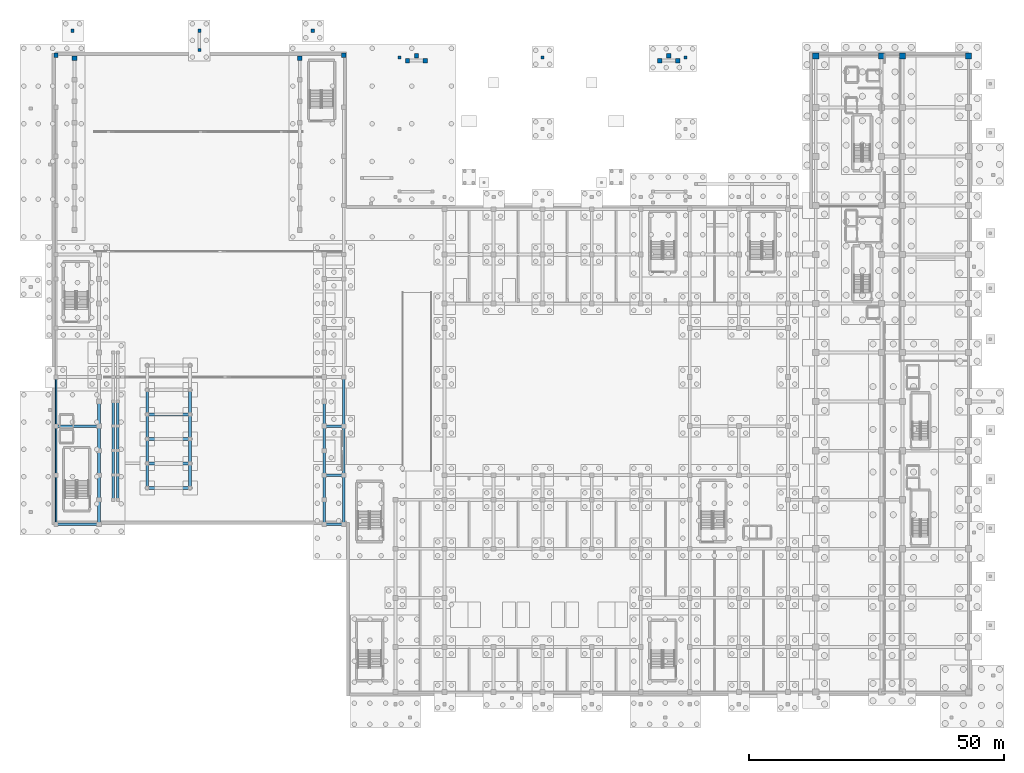
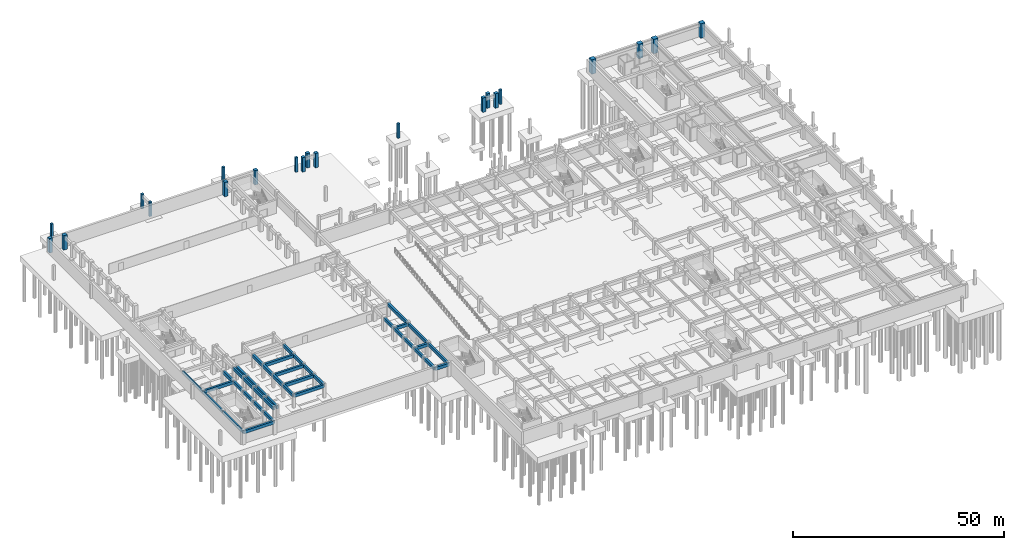
# One storey, part 10 of 39: 41 beams, 21 columns.
"""IFC4 building model written with IfcOpenShell, lengths in metres."""

import ifcopenshell
import ifcopenshell.guid

model = None  # the IFC model being written
_history = None  # IfcOwnerHistory: only IFC2X3 demands one
_inside = {}  # id of a spatial element -> (the spatial element, [elements in it])
_under = {}  # id of a project, library or spatial element -> (it, [spatial elements below it])
_declared = {}  # id of a project -> (the project, [libraries it declares])
_typed = {}  # id of a type object -> (the type object, [elements of that type])
_made_of = {}  # id of a material, layer set ... -> (it, [elements and type objects made of it])


def new_model(schema):
    """Start an empty IFC model of exactly this schema.

    Asked for "IFC4X3", IfcOpenShell would pick the latest addendum, in which some entities
    have other attributes; the version numbers below select the first issue.
    IFC2X3 requires an IfcOwnerHistory on every rooted entity: one is made here for all.
    """
    global model, _history
    if schema == "IFC4X3":
        model = ifcopenshell.file(schema_version=(4, 3, 0, 0))
    else:
        model = ifcopenshell.file(schema=schema)
    _inside.clear()
    _under.clear()
    _declared.clear()
    _typed.clear()
    _made_of.clear()
    _history = None
    if model.schema == "IFC2X3":
        org = make("IfcOrganization", Name="unknown")
        user = make(
            "IfcPersonAndOrganization",
            ThePerson=make("IfcPerson", FamilyName="unknown"),
            TheOrganization=org,
        )
        app = make(
            "IfcApplication",
            ApplicationDeveloper=org,
            Version="unknown",
            ApplicationFullName="unknown",
            ApplicationIdentifier="unknown",
        )
        _history = make(
            "IfcOwnerHistory",
            OwningUser=user,
            OwningApplication=app,
            ChangeAction="ADDED",
            CreationDate=0,
        )
    return model


def make(cls, **values):
    """One entity of the class cls with the attributes given. An attribute that is None is left unset."""
    return model.create_entity(
        cls, **{name: value for name, value in values.items() if value is not None}
    )


def rooted(cls, **values):
    """An entity with a GlobalId (a new one), such as an element, a storey or a relation."""
    return make(cls, GlobalId=ifcopenshell.guid.new(), OwnerHistory=_history, **values)


def si_unit(unit_type, name, prefix=None):
    """IfcSIUnit, for example si_unit("LENGTHUNIT", "METRE", prefix="MILLI")."""
    return make("IfcSIUnit", UnitType=unit_type, Prefix=prefix, Name=name)


def assignment(units):
    """IfcUnitAssignment: the units of a project."""
    return None if units is None else make("IfcUnitAssignment", Units=units)


def point(xyz):
    """IfcCartesianPoint."""
    return None if xyz is None else make("IfcCartesianPoint", Coordinates=xyz)


def direction(xyz):
    """IfcDirection."""
    return None if xyz is None else make("IfcDirection", DirectionRatios=xyz)


def frame(location, z_axis=None, x_axis=None):
    """IfcAxis2Placement3D, a coordinate frame: its origin and axes. An axis left out is left unset."""
    return make(
        "IfcAxis2Placement3D",
        Location=point(location),
        Axis=direction(z_axis),
        RefDirection=direction(x_axis),
    )


def frame_2d(location, x_axis=None):
    """IfcAxis2Placement2D, a coordinate frame in the plane: its origin and x axis."""
    return make(
        "IfcAxis2Placement2D", Location=point(location), RefDirection=direction(x_axis)
    )


def origin():
    """The frame at (0, 0, 0) with its axes left unset."""
    return frame((0.0, 0.0, 0.0))


def origin_2d():
    """The frame at (0, 0) in the plane with its x axis left unset."""
    return frame_2d((0.0, 0.0))


def place(relative_to, where):
    """IfcLocalPlacement: puts the frame where relative to a parent placement (None: the world)."""
    return make(
        "IfcLocalPlacement", PlacementRelTo=relative_to, RelativePlacement=where
    )


def context(
    kind, dimensions, precision=None, world=None, true_north=None, identifier=None
):
    """IfcGeometricRepresentationContext, for example the 3D "Model" context."""
    return make(
        "IfcGeometricRepresentationContext",
        ContextIdentifier=identifier,
        ContextType=kind,
        CoordinateSpaceDimension=dimensions,
        Precision=precision,
        WorldCoordinateSystem=world,
        TrueNorth=true_north,
    )


def subcontext(parent, identifier, kind, view, scale=None):
    """IfcGeometricRepresentationSubContext, for example "Body" below "Model"."""
    return make(
        "IfcGeometricRepresentationSubContext",
        ContextIdentifier=identifier,
        ContextType=kind,
        ParentContext=parent,
        TargetScale=scale,
        TargetView=view,
    )


def project(units=None, contexts=None):
    """IfcProject with its units and contexts."""
    return rooted(
        "IfcProject",
        Name="project",
        RepresentationContexts=contexts,
        UnitsInContext=assignment(units),
    )


def spatial(cls, under=None, at=None, **own):
    """A site, building, storey or space (cls), placed at a placement, below another one or the project."""
    s = rooted(cls, ObjectPlacement=at, **own)
    if under is not None:
        _under.setdefault(under.id(), (under, []))[1].append(s)
    return s


def profile(cls, at=None, kind="AREA", **sizes):
    """A parametric profile (cls). Its sizes go by their IFC names, for example OverallWidth=200.0."""
    return make(cls, ProfileType=kind, Position=at, **sizes)


def rectangle(**sizes):
    """IfcRectangleProfileDef."""
    return profile("IfcRectangleProfileDef", **sizes)


def extrude(swept, where, along, depth):
    """IfcExtrudedAreaSolid: the profile swept, set in the frame where, extruded along a direction by depth."""
    return make(
        "IfcExtrudedAreaSolid",
        SweptArea=swept,
        Position=where,
        ExtrudedDirection=direction(along),
        Depth=depth,
    )


def shape(context_of_items, identifier, shape_type, items):
    """IfcShapeRepresentation: the items that make up one representation, for example the "Body"."""
    return make(
        "IfcShapeRepresentation",
        ContextOfItems=context_of_items,
        RepresentationIdentifier=identifier,
        RepresentationType=shape_type,
        Items=items,
    )


def material(Name=None, Category=None):
    """IfcMaterial."""
    return make("IfcMaterial", Name=Name, Category=Category)


def material_profile(
    of_material, cross_section, Name=None, Category=None, Priority=None
):
    """IfcMaterialProfile: a cross section and its material."""
    return make(
        "IfcMaterialProfile",
        Name=Name,
        Material=of_material,
        Profile=cross_section,
        Priority=Priority,
        Category=Category,
    )


def profile_set(profiles, Name=None, composite=None):
    """IfcMaterialProfileSet."""
    return make(
        "IfcMaterialProfileSet",
        Name=Name,
        MaterialProfiles=profiles,
        CompositeProfile=composite,
    )


def made_of(thing, what):
    """Note that an element or type object is made of a material, layer set ...; save() writes the relation."""
    if what is not None:
        _made_of.setdefault(what.id(), (what, []))[1].append(thing)
    return thing


def type_object(cls, material=None, **own):
    """A type object (cls), such as IfcWallType, which elements share."""
    return made_of(rooted(cls, **own), material)


def element(
    cls,
    number,
    at=None,
    inside=None,
    cuts=None,
    type_object=None,
    material=None,
    context=None,
    identifier="Body",
    shape_type=None,
    held_by="IfcProductDefinitionShape",
    body=None,
    shapes=None,
    **own,
):
    """One element of the class cls, such as IfcWall. Its Tag is "e" and its number.

    at: its placement. inside: the storey or other place that contains it. cuts: it is an
    opening in that element (IfcRelVoidsElement). A single representation is given by context,
    identifier, shape_type and body (its items); several are given by shapes. held_by: the class
    of the entity that holds the representations. save() writes the other relations.
    """
    e = rooted(cls, Tag="e%d" % number, ObjectPlacement=at, **own)
    if body is not None:
        shapes = [shape(context, identifier, shape_type, body)]
    if shapes is not None:
        e.Representation = make(held_by, Representations=shapes)
    if inside is not None:
        _inside.setdefault(inside.id(), (inside, []))[1].append(e)
    if cuts is not None:
        rooted(
            "IfcRelVoidsElement", RelatingBuildingElement=cuts, RelatedOpeningElement=e
        )
    if type_object is not None:
        _typed.setdefault(type_object.id(), (type_object, []))[1].append(e)
    return made_of(e, material)


def aggregate(whole, parts):
    """IfcRelAggregates: a whole, such as a stair, and the parts it consists of."""
    return rooted("IfcRelAggregates", RelatingObject=whole, RelatedObjects=parts)


def save(model, path):
    """Write the relations noted so far, then the file.

    IfcRelAggregates (storeys below a building ...), IfcRelContainedInSpatialStructure (elements
    in a storey), IfcRelDefinesByType, IfcRelAssociatesMaterial and IfcRelDeclares: one each for
    every whole, place, type object, material and project.
    """
    for whole, parts in _under.values():
        aggregate(whole, parts)
    for where, things in _inside.values():
        rooted(
            "IfcRelContainedInSpatialStructure",
            RelatedElements=things,
            RelatingStructure=where,
        )
    for kind, things in _typed.values():
        rooted("IfcRelDefinesByType", RelatedObjects=things, RelatingType=kind)
    for what, things in _made_of.values():
        rooted("IfcRelAssociatesMaterial", RelatedObjects=things, RelatingMaterial=what)
    for by, libraries in _declared.values():
        rooted("IfcRelDeclares", RelatingContext=by, RelatedDefinitions=libraries)
    model.write(path)


model = new_model("IFC4")

# Units and contexts
model_context = context("Model", 3, precision=1e-05, world=origin(), true_north=direction((0.0, 1.0)))
body_context = subcontext(model_context, "Body", "Model", "MODEL_VIEW")
ifc_project = project(units=[si_unit("LENGTHUNIT", "METRE"), si_unit("AREAUNIT", "SQUARE_METRE"), si_unit("VOLUMEUNIT", "CUBIC_METRE"), si_unit("PLANEANGLEUNIT", "RADIAN"), si_unit("MASSUNIT", "GRAM", prefix="KILO")], contexts=[model_context])

# Site, building, storey
site_placement = place(None, origin())
site = spatial("IfcSite", under=ifc_project, at=site_placement, CompositionType="ELEMENT")
building_placement = place(site_placement, origin())
building = spatial("IfcBuilding", under=site, at=building_placement, Name="Nakhvara Creek Congress Hotel", CompositionType="ELEMENT")
storey_placement = place(building_placement, frame((0.0, 0.0, -8.39990234375)))
storey = spatial("IfcBuildingStorey", under=building, at=storey_placement, Name="B2", CompositionType="ELEMENT", Elevation=-8.39990234375)

# Columns
ifc_material_1 = material(Name="Concrete C50/60", Category="concrete")
ifc_material_profile_1 = material_profile(ifc_material_1, rectangle(XDim=1.199951171875, YDim=1.199951171875, at=origin_2d()), Name="RC-COL 1200x1200", Category="LoadBearing")
ifc_profile_set_1 = profile_set([ifc_material_profile_1], Name="Concrete C50/60")
column_type_1 = type_object("IfcColumnType", Name="COL-RC-1200", PredefinedType="COLUMN", material=ifc_profile_set_1)
for number, where, z_axis, x_axis, name in (
    (1, (149.449951171875, 125.25, 0.0), (0.0, 0.0, 1.0), (1.0, 0.0, 0.0), "Column C15-B2-0204"),
    (2, (162.35009765625, 125.25, 0.0), (0.0, 0.0, 1.0), (1.0, 0.0, 0.0), "Column C15-B2-0218"),
    (3, (166.449951171875, 125.25, 0.0), (0.0, 0.0, 1.0), (1.0, 0.0, 0.0), "Column C15-B2-0232"),
    (4, (179.35009765625, 125.25, 0.0), (0.0, 0.0, 1.0), (1.0, 0.0, 0.0), "Column C15-B2-0246"),
):
    element("IfcColumn", number, at=place(storey_placement, frame(where, z_axis=z_axis, x_axis=x_axis)), inside=storey, type_object=column_type_1, Name=name, PredefinedType="COLUMN", context=body_context, shape_type="SweptSolid", body=[
        extrude(rectangle(XDim=1.199951171875, YDim=1.199951171875, at=origin_2d()), origin(), (0.0, 0.0, 1.0), 4.199951171875),
    ])
ifc_material_profile_2 = material_profile(ifc_material_1, rectangle(XDim=0.60009765625, YDim=0.60009765625, at=origin_2d()), Name="RC-COL 600x600", Category="LoadBearing")
ifc_profile_set_2 = profile_set([ifc_material_profile_2], Name="Concrete C50/60")
column_type_2 = type_object("IfcColumnType", Name="COL-RC-600", PredefinedType="COLUMN", material=ifc_profile_set_2)
for number, where, z_axis, x_axis, name in (
    (5, (68.0, 125.0, 0.0), (0.0, 0.0, 1.0), (1.0, 0.0, 0.0), "Column C08-B2-0249"),
    (6, (96.0, 125.0, 0.0), (0.0, 0.0, 1.0), (1.0, 0.0, 0.0), "Column C08-B2-0252"),
    (7, (124.0, 125.0, 0.0), (0.0, 0.0, 1.0), (1.0, 0.0, 0.0), "Column C08-B2-0255"),
    (8, (4.0, 130.199951171875, 0.0), (0.0, 0.0, 1.0), (1.0, 0.0, 0.0), "Column C08-B2-0273"),
    (9, (28.800048828125, 130.199951171875, 0.0), (0.0, 0.0, 1.0), (1.0, 0.0, 0.0), "Column C08-B2-0274"),
    (10, (51.0, 130.199951171875, 0.0), (0.0, 0.0, 1.0), (1.0, 0.0, 0.0), "Column C08-B2-0275"),
    (11, (28.800048828125, 126.39990234375, 0.0), (0.0, 0.0, 1.0), (1.0, 0.0, 0.0), "Column C08-B2-0276"),
):
    element("IfcColumn", number, at=place(storey_placement, frame(where, z_axis=z_axis, x_axis=x_axis)), inside=storey, type_object=column_type_2, Name=name, PredefinedType="COLUMN", context=body_context, shape_type="SweptSolid", body=[
        extrude(rectangle(XDim=0.60009765625, YDim=0.60009765625, at=origin_2d()), origin(), (0.0, 0.0, 1.0), 4.199951171875),
    ])
ifc_material_profile_3 = material_profile(ifc_material_1, rectangle(XDim=0.85009765625, YDim=0.85009765625, at=origin_2d()), Name="RC-COL 850x850", Category="LoadBearing")
ifc_profile_set_3 = profile_set([ifc_material_profile_3], Name="Concrete C50/60")
column_type_3 = type_object("IfcColumnType", Name="COL-RC-850", PredefinedType="COLUMN", material=ifc_profile_set_3)
for number, where, z_axis, x_axis, name in (
    (12, (0.75, 125.39990234375, 0.0), (0.0, 0.0, 1.0), (1.0, 0.0, 0.0), "Column C18-B2-0089"),
    (13, (57.050048828125, 125.39990234375, 0.0), (0.0, 0.0, 1.0), (1.0, 0.0, 0.0), "Column C18-B2-0090"),
    (14, (69.550048828125, 124.35009765625, 0.0), (0.0, 0.0, 1.0), (1.0, 0.0, 0.0), "Column C18-B2-0262"),
    (15, (73.050048828125, 124.35009765625, 0.0), (0.0, 0.0, 1.0), (1.0, 0.0, 0.0), "Column C18-B2-0263"),
    (16, (71.300048828125, 125.300048828125, 0.0), (0.0, 0.0, 1.0), (1.0, 0.0, 0.0), "Column C18-B2-0264"),
    (17, (118.949951171875, 124.35009765625, 0.0), (0.0, 0.0, 1.0), (1.0, 0.0, 0.0), "Column C18-B2-0265"),
    (18, (122.449951171875, 124.35009765625, 0.0), (0.0, 0.0, 1.0), (1.0, 0.0, 0.0), "Column C18-B2-0266"),
    (19, (120.699951171875, 125.300048828125, 0.0), (0.0, 0.0, 1.0), (1.0, 0.0, 0.0), "Column C18-B2-0267"),
):
    element("IfcColumn", number, at=place(storey_placement, frame(where, z_axis=z_axis, x_axis=x_axis)), inside=storey, type_object=column_type_3, Name=name, PredefinedType="COLUMN", context=body_context, shape_type="SweptSolid", body=[
        extrude(rectangle(XDim=0.85009765625, YDim=0.85009765625, at=origin_2d()), origin(), (0.0, 0.0, 1.0), 4.199951171875),
    ])
ifc_material_profile_4 = material_profile(ifc_material_1, rectangle(XDim=0.949951171875, YDim=0.949951171875, at=origin_2d()), Name="RC-COL 950x950", Category="LoadBearing")
ifc_profile_set_4 = profile_set([ifc_material_profile_4], Name="Concrete C50/60")
column_type_4 = type_object("IfcColumnType", Name="COL-RC-950", PredefinedType="COLUMN", material=ifc_profile_set_4)
for number, where, z_axis, x_axis, name in (
    (20, (4.35009765625, 124.800048828125, 0.0), (0.0, 0.0, 1.0), (1.0, 0.0, 0.0), "Column C17-B2-0081"),
    (21, (48.449951171875, 124.800048828125, 0.0), (0.0, 0.0, 1.0), (1.0, 0.0, 0.0), "Column C17-B2-0082"),
):
    element("IfcColumn", number, at=place(storey_placement, frame(where, z_axis=z_axis, x_axis=x_axis)), inside=storey, type_object=column_type_4, Name=name, PredefinedType="COLUMN", context=body_context, shape_type="SweptSolid", body=[
        extrude(rectangle(XDim=0.949951171875, YDim=0.949951171875, at=origin_2d()), origin(), (0.0, 0.0, 1.0), 4.199951171875),
    ])

# Beams
ifc_material_profile_5 = material_profile(ifc_material_1, rectangle(XDim=0.550048828125, YDim=0.8798828125, at=origin_2d()), Name="RC-BM 550x880", Category="LoadBearing")
ifc_profile_set_5 = profile_set([ifc_material_profile_5], Name="Concrete C50/60")
beam_type_1 = type_object("IfcBeamType", Name="BM-RC-550X880", PredefinedType="BEAM", material=ifc_profile_set_5)
beam_1_placement = place(storey_placement, frame((0.75, 33.60009765625, 3.419921875), z_axis=(1.0, 0.0, 0.0), x_axis=(0.0, 1.0, 0.0)))
element("IfcBeam", 22, at=beam_1_placement, inside=storey, type_object=beam_type_1, Name="Beam B15-B2-0002", PredefinedType="BEAM", context=body_context, shape_type="SweptSolid", body=[
    extrude(rectangle(XDim=0.550048828125, YDim=0.8798828125, at=origin_2d()), origin(), (0.0, 0.0, 1.0), 8.39990234375),
])
beam_2_placement = place(storey_placement, frame((57.050048828125, 33.60009765625, 3.419921875), z_axis=(0.0, 1.0, 0.0), x_axis=(-1.0, 0.0, 0.0)))
element("IfcBeam", 23, at=beam_2_placement, inside=storey, type_object=beam_type_1, Name="Beam B15-B2-0003", PredefinedType="BEAM", context=body_context, shape_type="SweptSolid", body=[
    extrude(rectangle(XDim=0.550048828125, YDim=0.8798828125, at=origin_2d()), origin(), (0.0, 0.0, 1.0), 9.599853515625),
])
beam_3_placement = place(storey_placement, frame((53.25, 33.60009765625, 3.419921875), z_axis=(1.0, 0.0, 0.0), x_axis=(0.0, 1.0, 0.0)))
element("IfcBeam", 24, at=beam_3_placement, inside=storey, type_object=beam_type_1, Name="Beam B15-B2-0004", PredefinedType="BEAM", context=body_context, shape_type="SweptSolid", body=[
    extrude(rectangle(XDim=0.550048828125, YDim=0.8798828125, at=origin_2d()), origin(), (0.0, 0.0, 1.0), 3.800048828125),
])
beam_4_placement = place(storey_placement, frame((57.050048828125, 43.199951171875, 3.419921875), z_axis=(0.0, 1.0, 0.0), x_axis=(-1.0, 0.0, 0.0)))
element("IfcBeam", 25, at=beam_4_placement, inside=storey, type_object=beam_type_1, Name="Beam B15-B2-0006", PredefinedType="BEAM", context=body_context, shape_type="SweptSolid", body=[
    extrude(rectangle(XDim=0.550048828125, YDim=0.8798828125, at=origin_2d()), origin(), (0.0, 0.0, 1.0), 9.60009765625),
])
beam_5_placement = place(storey_placement, frame((53.25, 43.199951171875, 3.419921875), z_axis=(1.0, 0.0, 0.0), x_axis=(0.0, 1.0, 0.0)))
element("IfcBeam", 26, at=beam_5_placement, inside=storey, type_object=beam_type_1, Name="Beam B15-B2-0007", PredefinedType="BEAM", context=body_context, shape_type="SweptSolid", body=[
    extrude(rectangle(XDim=0.550048828125, YDim=0.8798828125, at=origin_2d()), origin(), (0.0, 0.0, 1.0), 3.800048828125),
])
beam_6_placement = place(storey_placement, frame((0.75, 52.800048828125, 3.419921875), z_axis=(1.0, 0.0, 0.0), x_axis=(0.0, 1.0, 0.0)))
element("IfcBeam", 27, at=beam_6_placement, inside=storey, type_object=beam_type_1, Name="Beam B15-B2-0009", PredefinedType="BEAM", context=body_context, shape_type="SweptSolid", body=[
    extrude(rectangle(XDim=0.550048828125, YDim=0.8798828125, at=origin_2d()), origin(), (0.0, 0.0, 1.0), 8.39990234375),
])
beam_7_placement = place(storey_placement, frame((57.050048828125, 52.800048828125, 3.419921875), z_axis=(0.0, 1.0, 0.0), x_axis=(-1.0, 0.0, 0.0)))
element("IfcBeam", 28, at=beam_7_placement, inside=storey, type_object=beam_type_1, Name="Beam B15-B2-0010", PredefinedType="BEAM", context=body_context, shape_type="SweptSolid", body=[
    extrude(rectangle(XDim=0.550048828125, YDim=0.8798828125, at=origin_2d()), origin(), (0.0, 0.0, 1.0), 9.599853515625),
])
beam_8_placement = place(storey_placement, frame((53.25, 52.800048828125, 3.419921875), z_axis=(1.0, 0.0, 0.0), x_axis=(0.0, 1.0, 0.0)))
element("IfcBeam", 29, at=beam_8_placement, inside=storey, type_object=beam_type_1, Name="Beam B15-B2-0011", PredefinedType="BEAM", context=body_context, shape_type="SweptSolid", body=[
    extrude(rectangle(XDim=0.550048828125, YDim=0.8798828125, at=origin_2d()), origin(), (0.0, 0.0, 1.0), 3.800048828125),
])
for number, where, z_axis, x_axis, name in (
    (30, (9.14990234375, 33.60009765625, 3.419921875), (0.0, 1.0, 0.0), (-1.0, 0.0, 0.0), "Beam B15-B2-0027"),
    (31, (53.25, 33.60009765625, 3.419921875), (0.0, 1.0, 0.0), (-1.0, 0.0, 0.0), "Beam B15-B2-0028"),
):
    element("IfcBeam", number, at=place(storey_placement, frame(where, z_axis=z_axis, x_axis=x_axis)), inside=storey, type_object=beam_type_1, Name=name, PredefinedType="BEAM", context=body_context, shape_type="SweptSolid", body=[
        extrude(rectangle(XDim=0.550048828125, YDim=0.8798828125, at=origin_2d()), origin(), (0.0, 0.0, 1.0), 4.7998046875),
    ])
for number, where, z_axis, x_axis, name in (
    (32, (9.14990234375, 38.39990234375, 3.419921875), (0.0, 1.0, 0.0), (-1.0, 0.0, 0.0), "Beam B15-B2-0029"),
    (33, (53.25, 38.39990234375, 3.419921875), (0.0, 1.0, 0.0), (-1.0, 0.0, 0.0), "Beam B15-B2-0030"),
    (34, (9.14990234375, 43.199951171875, 3.419921875), (0.0, 1.0, 0.0), (-1.0, 0.0, 0.0), "Beam B15-B2-0031"),
    (35, (53.25, 43.199951171875, 3.419921875), (0.0, 1.0, 0.0), (-1.0, 0.0, 0.0), "Beam B15-B2-0032"),
    (36, (9.14990234375, 48.0, 3.419921875), (0.0, 1.0, 0.0), (-1.0, 0.0, 0.0), "Beam B15-B2-0033"),
    (37, (53.25, 48.0, 3.419921875), (0.0, 1.0, 0.0), (-1.0, 0.0, 0.0), "Beam B15-B2-0034"),
    (38, (9.14990234375, 52.800048828125, 3.419921875), (0.0, 1.0, 0.0), (-1.0, 0.0, 0.0), "Beam B15-B2-0035"),
    (39, (53.25, 52.800048828125, 3.419921875), (0.0, 1.0, 0.0), (-1.0, 0.0, 0.0), "Beam B15-B2-0036"),
    (40, (11.949951171875, 38.39990234375, 3.419921875), (0.0, 1.0, 0.0), (-1.0, 0.0, 0.0), "Beam B15-B2-0049"),
    (41, (12.85009765625, 38.39990234375, 3.419921875), (0.0, 1.0, 0.0), (-1.0, 0.0, 0.0), "Beam B15-B2-0050"),
    (42, (11.949951171875, 43.199951171875, 3.419921875), (0.0, 1.0, 0.0), (-1.0, 0.0, 0.0), "Beam B15-B2-0051"),
    (43, (12.85009765625, 43.199951171875, 3.419921875), (0.0, 1.0, 0.0), (-1.0, 0.0, 0.0), "Beam B15-B2-0052"),
    (44, (11.949951171875, 48.0, 3.419921875), (0.0, 1.0, 0.0), (-1.0, 0.0, 0.0), "Beam B15-B2-0053"),
    (45, (12.85009765625, 48.0, 3.419921875), (0.0, 1.0, 0.0), (-1.0, 0.0, 0.0), "Beam B15-B2-0054"),
    (46, (11.949951171875, 52.800048828125, 3.419921875), (0.0, 1.0, 0.0), (-1.0, 0.0, 0.0), "Beam B15-B2-0055"),
    (47, (12.85009765625, 52.800048828125, 3.419921875), (0.0, 1.0, 0.0), (-1.0, 0.0, 0.0), "Beam B15-B2-0056"),
):
    element("IfcBeam", number, at=place(storey_placement, frame(where, z_axis=z_axis, x_axis=x_axis)), inside=storey, type_object=beam_type_1, Name=name, PredefinedType="BEAM", context=body_context, shape_type="SweptSolid", body=[
        extrude(rectangle(XDim=0.550048828125, YDim=0.8798828125, at=origin_2d()), origin(), (0.0, 0.0, 1.0), 4.800048828125),
    ])
beam_9_placement = place(storey_placement, frame((18.60009765625, 40.699951171875, 3.419921875), z_axis=(1.0, 0.0, 0.0), x_axis=(0.0, 1.0, 0.0)))
element("IfcBeam", 48, at=beam_9_placement, inside=storey, type_object=beam_type_1, Name="Beam B15-B2-0061", PredefinedType="BEAM", context=body_context, shape_type="SweptSolid", body=[
    extrude(rectangle(XDim=0.550048828125, YDim=0.8798828125, at=origin_2d()), origin(), (0.0, 0.0, 1.0), 8.39990234375),
])
for number, where, z_axis, x_axis, name in (
    (49, (18.60009765625, 40.699951171875, 3.419921875), (0.0, 1.0, 0.0), (-1.0, 0.0, 0.0), "Beam B15-B2-0062"),
    (50, (27.0, 40.699951171875, 3.419921875), (0.0, 1.0, 0.0), (-1.0, 0.0, 0.0), "Beam B15-B2-0063"),
):
    element("IfcBeam", number, at=place(storey_placement, frame(where, z_axis=z_axis, x_axis=x_axis)), inside=storey, type_object=beam_type_1, Name=name, PredefinedType="BEAM", context=body_context, shape_type="SweptSolid", body=[
        extrude(rectangle(XDim=0.550048828125, YDim=0.8798828125, at=origin_2d()), origin(), (0.0, 0.0, 1.0), 4.800048828125),
    ])
beam_10_placement = place(storey_placement, frame((18.60009765625, 45.5, 3.419921875), z_axis=(1.0, 0.0, 0.0), x_axis=(0.0, 1.0, 0.0)))
element("IfcBeam", 51, at=beam_10_placement, inside=storey, type_object=beam_type_1, Name="Beam B15-B2-0064", PredefinedType="BEAM", context=body_context, shape_type="SweptSolid", body=[
    extrude(rectangle(XDim=0.550048828125, YDim=0.8798828125, at=origin_2d()), origin(), (0.0, 0.0, 1.0), 8.39990234375),
])
for number, where, z_axis, x_axis, name in (
    (52, (18.60009765625, 45.5, 3.419921875), (0.0, 1.0, 0.0), (-1.0, 0.0, 0.0), "Beam B15-B2-0065"),
    (53, (27.0, 45.5, 3.419921875), (0.0, 1.0, 0.0), (-1.0, 0.0, 0.0), "Beam B15-B2-0066"),
):
    element("IfcBeam", number, at=place(storey_placement, frame(where, z_axis=z_axis, x_axis=x_axis)), inside=storey, type_object=beam_type_1, Name=name, PredefinedType="BEAM", context=body_context, shape_type="SweptSolid", body=[
        extrude(rectangle(XDim=0.550048828125, YDim=0.8798828125, at=origin_2d()), origin(), (0.0, 0.0, 1.0), 4.800048828125),
    ])
beam_11_placement = place(storey_placement, frame((18.60009765625, 50.300048828125, 3.419921875), z_axis=(1.0, 0.0, 0.0), x_axis=(0.0, 1.0, 0.0)))
element("IfcBeam", 54, at=beam_11_placement, inside=storey, type_object=beam_type_1, Name="Beam B15-B2-0067", PredefinedType="BEAM", context=body_context, shape_type="SweptSolid", body=[
    extrude(rectangle(XDim=0.550048828125, YDim=0.8798828125, at=origin_2d()), origin(), (0.0, 0.0, 1.0), 8.39990234375),
])
for number, where, z_axis, x_axis, name in (
    (55, (18.60009765625, 50.300048828125, 3.419921875), (0.0, 1.0, 0.0), (-1.0, 0.0, 0.0), "Beam B15-B2-0068"),
    (56, (27.0, 50.300048828125, 3.419921875), (0.0, 1.0, 0.0), (-1.0, 0.0, 0.0), "Beam B15-B2-0069"),
):
    element("IfcBeam", number, at=place(storey_placement, frame(where, z_axis=z_axis, x_axis=x_axis)), inside=storey, type_object=beam_type_1, Name=name, PredefinedType="BEAM", context=body_context, shape_type="SweptSolid", body=[
        extrude(rectangle(XDim=0.550048828125, YDim=0.8798828125, at=origin_2d()), origin(), (0.0, 0.0, 1.0), 4.800048828125),
    ])
beam_12_placement = place(storey_placement, frame((18.60009765625, 55.10009765625, 3.419921875), z_axis=(1.0, 0.0, 0.0), x_axis=(0.0, 1.0, 0.0)))
element("IfcBeam", 57, at=beam_12_placement, inside=storey, type_object=beam_type_1, Name="Beam B15-B2-0070", PredefinedType="BEAM", context=body_context, shape_type="SweptSolid", body=[
    extrude(rectangle(XDim=0.550048828125, YDim=0.8798828125, at=origin_2d()), origin(), (0.0, 0.0, 1.0), 8.39990234375),
])
for number, where, z_axis, x_axis, name in (
    (58, (18.60009765625, 55.10009765625, 3.419921875), (0.0, 1.0, 0.0), (-1.0, 0.0, 0.0), "Beam B15-B2-0071"),
    (59, (27.0, 55.10009765625, 3.419921875), (0.0, 1.0, 0.0), (-1.0, 0.0, 0.0), "Beam B15-B2-0072"),
):
    element("IfcBeam", number, at=place(storey_placement, frame(where, z_axis=z_axis, x_axis=x_axis)), inside=storey, type_object=beam_type_1, Name=name, PredefinedType="BEAM", context=body_context, shape_type="SweptSolid", body=[
        extrude(rectangle(XDim=0.550048828125, YDim=0.8798828125, at=origin_2d()), origin(), (0.0, 0.0, 1.0), 4.7998046875),
    ])
ifc_material_2 = material(Name="Concrete C40/50", Category="concrete")
ifc_material_profile_6 = material_profile(ifc_material_2, rectangle(XDim=0.35009765625, YDim=0.75, at=origin_2d()), Name="RC-SPANDREL 350x750", Category="LoadBearing")
ifc_profile_set_6 = profile_set([ifc_material_profile_6], Name="Concrete C40/50")
beam_type_2 = type_object("IfcBeamType", Name="BM-SPN-350X750", PredefinedType="SPANDREL", material=ifc_profile_set_6)
beam_13_placement = place(storey_placement, frame((0.75, 33.60009765625, 3.48486328125), z_axis=(0.0, 1.0, 0.0), x_axis=(-1.0, 0.0, 0.0)))
element("IfcBeam", 60, at=beam_13_placement, inside=storey, type_object=beam_type_2, Name="Beam SP1-B2-0001", PredefinedType="SPANDREL", context=body_context, shape_type="SweptSolid", body=[
    extrude(rectangle(XDim=0.35009765625, YDim=0.75, at=origin_2d()), origin(), (0.0, 0.0, 1.0), 9.599853515625),
])
beam_14_placement = place(storey_placement, frame((0.75, 43.199951171875, 3.48486328125), z_axis=(0.0, 1.0, 0.0), x_axis=(-1.0, 0.0, 0.0)))
element("IfcBeam", 61, at=beam_14_placement, inside=storey, type_object=beam_type_2, Name="Beam SP1-B2-0005", PredefinedType="SPANDREL", context=body_context, shape_type="SweptSolid", body=[
    extrude(rectangle(XDim=0.35009765625, YDim=0.75, at=origin_2d()), origin(), (0.0, 0.0, 1.0), 9.60009765625),
])
beam_15_placement = place(storey_placement, frame((0.75, 52.800048828125, 3.48486328125), z_axis=(0.0, 1.0, 0.0), x_axis=(-1.0, 0.0, 0.0)))
element("IfcBeam", 62, at=beam_15_placement, inside=storey, type_object=beam_type_2, Name="Beam SP1-B2-0008", PredefinedType="SPANDREL", context=body_context, shape_type="SweptSolid", body=[
    extrude(rectangle(XDim=0.35009765625, YDim=0.75, at=origin_2d()), origin(), (0.0, 0.0, 1.0), 9.599853515625),
])

save(model, "model.ifc")
